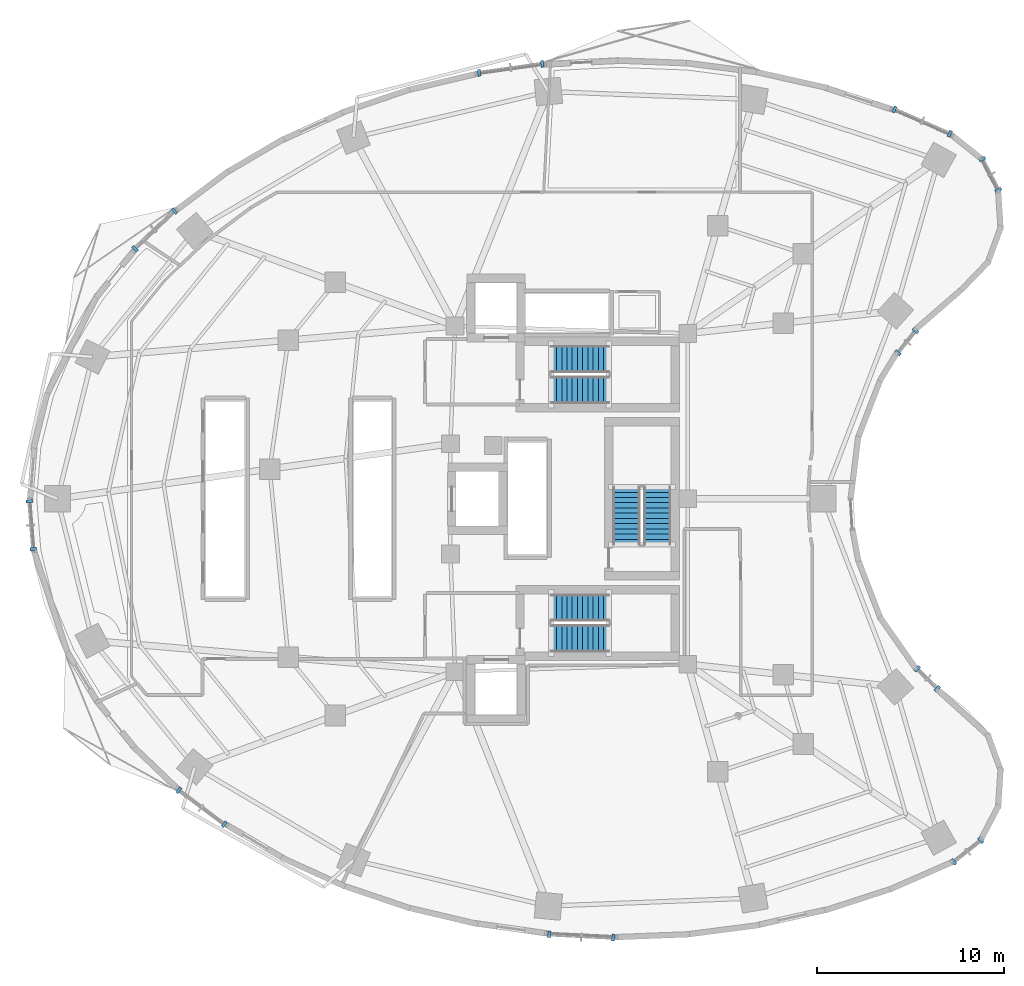
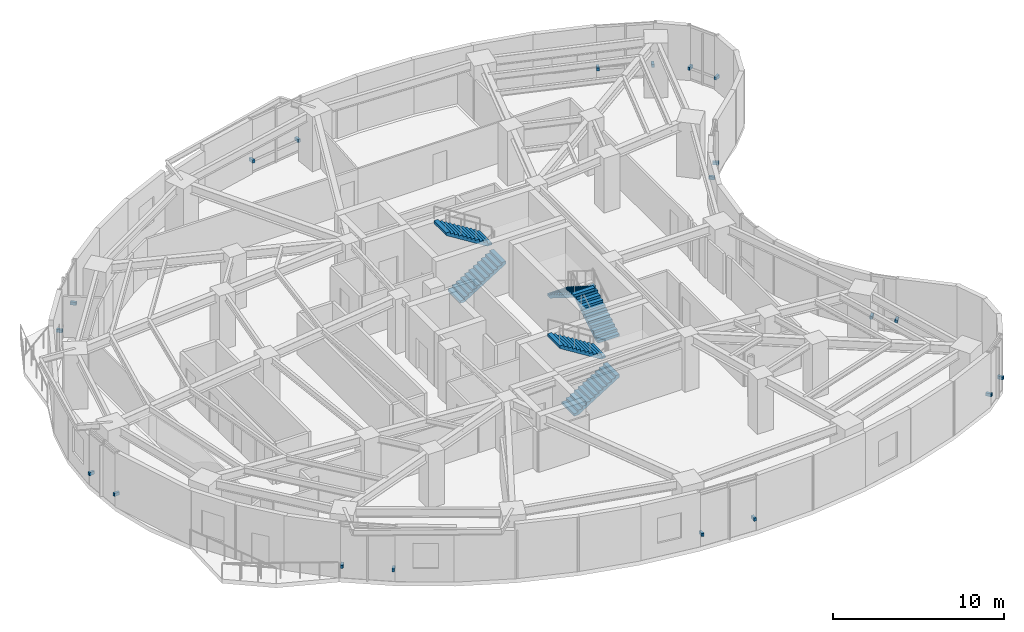
# One storey, part 11 of 14: 20 discrete accessories, 6 stair flights, 3 elements without a shape of their own.
"""IFC4 building model written with IfcOpenShell, lengths in metres."""

from ifc_helpers import new_model, si_unit, direction, frame, origin, origin_2d, place, context, subcontext, project, spatial, polyline, rectangle, outline, extrude, material, type_object, element, aggregate, save


model = new_model("IFC4")

# Units and contexts
model_context = context("Model", 3, precision=1e-05, world=origin(), true_north=direction((0.0, 1.0)))
body_context = subcontext(model_context, "Body", "Model", "MODEL_VIEW")
ifc_project = project(units=[si_unit("LENGTHUNIT", "METRE"), si_unit("AREAUNIT", "SQUARE_METRE"), si_unit("VOLUMEUNIT", "CUBIC_METRE"), si_unit("PLANEANGLEUNIT", "RADIAN"), si_unit("MASSUNIT", "GRAM", prefix="KILO")], contexts=[model_context])

# Site, building, storey
site_placement = place(None, origin())
site = spatial("IfcSite", under=ifc_project, at=site_placement, CompositionType="ELEMENT")
building_placement = place(site_placement, origin())
building = spatial("IfcBuilding", under=site, at=building_placement, Name="Korentha Bioscience Tower", CompositionType="ELEMENT")
storey_placement = place(building_placement, frame((0.0, 0.0, 63.60009765625)))
storey = spatial("IfcBuildingStorey", under=building, at=storey_placement, Name="L14", CompositionType="ELEMENT", Elevation=63.60009765625)

# Stair, stair flights
ifc_material_1 = material(Name="Precast Concrete C50", Category="concrete")
stair_type = type_object("IfcStairType", Name="Core Exit Dog-Leg Stair 1450", PredefinedType="HALF_TURN_STAIR", material=ifc_material_1)
stair_1_placement = place(storey_placement, origin())
stair_1 = element("IfcStair", 1, at=stair_1_placement, inside=storey, type_object=stair_type, Name="L14 Tower North Pressurized Exit Stair ST-1", PredefinedType="HALF_TURN_STAIR")
stair_flight_type = type_object("IfcStairFlightType", Name="Core Exit Dog-Leg Stair 1450 Flight", PredefinedType="STRAIGHT", material=ifc_material_1)
stair_flight_1_placement = place(storey_placement, frame((30.25, 32.824951171875, 0.0), z_axis=(0.0, 0.0, 1.0), x_axis=(1.0, 0.0, 0.0)))
stair_flight_1 = element("IfcStairFlight", 2, at=stair_flight_1_placement, type_object=stair_flight_type, Name="ST-1 flight 1", NumberOfRisers=12, NumberOfTreads=11, PredefinedType="STRAIGHT", RiserHeight=0.175, TreadLength=0.28, context=body_context, shape_type="SweptSolid", body=[
    extrude(outline(polyline([(0.0, 0.0), (0.0, 0.175048828125), (0.280029296875, 0.175048828125), (0.280029296875, 0.35009765625), (0.56005859375, 0.35009765625), (0.56005859375, 0.52490234375), (0.840087890625, 0.52490234375), (0.840087890625, 0.699951171875), (1.1201171875, 0.699951171875), (1.1201171875, 0.875), (1.39990234375, 0.875), (1.39990234375, 1.050048828125), (1.679931640625, 1.050048828125), (1.679931640625, 1.22509765625), (1.9599609375, 1.22509765625), (1.9599609375, 1.39990234375), (2.239990234375, 1.39990234375), (2.239990234375, 1.574951171875), (2.52001953125, 1.574951171875), (2.52001953125, 1.75), (2.800048828125, 1.75), (2.800048828125, 1.925048828125), (3.080078125, 1.925048828125), (3.080078125, 2.10009765625), (3.080078125, 1.736328125), (0.3017578125, 0.0), (0.0, 0.0)])), frame((0.0, 0.72509765625, 0.0), z_axis=(0.0, -1.0, 0.0), x_axis=(1.0, 0.0, 0.0)), (0.0, 0.0, 1.0), 1.449951171875),
])
stair_flight_2_placement = place(storey_placement, frame((33.330078125, 34.47509765625, 2.099853515625), z_axis=(0.0, 0.0, 1.0), x_axis=(-1.0, 0.0, 0.0)))
stair_flight_2 = element("IfcStairFlight", 3, at=stair_flight_2_placement, type_object=stair_flight_type, Name="ST-1 flight 2", NumberOfRisers=12, NumberOfTreads=11, PredefinedType="STRAIGHT", RiserHeight=0.175, TreadLength=0.28, context=body_context, shape_type="SweptSolid", body=[
    extrude(outline(polyline([(0.0, 0.0), (0.0, 0.175048828125), (0.280029296875, 0.175048828125), (0.280029296875, 0.35009765625), (0.56005859375, 0.35009765625), (0.56005859375, 0.52490234375), (0.840087890625, 0.52490234375), (0.840087890625, 0.699951171875), (1.1201171875, 0.699951171875), (1.1201171875, 0.875), (1.39990234375, 0.875), (1.39990234375, 1.050048828125), (1.679931640625, 1.050048828125), (1.679931640625, 1.22509765625), (1.9599609375, 1.22509765625), (1.9599609375, 1.39990234375), (2.239990234375, 1.39990234375), (2.239990234375, 1.574951171875), (2.52001953125, 1.574951171875), (2.52001953125, 1.75), (2.800048828125, 1.75), (2.800048828125, 1.925048828125), (3.080078125, 1.925048828125), (3.080078125, 2.10009765625), (3.080078125, 1.736328125), (0.3017578125, 0.0), (0.0, 0.0)])), frame((0.0, 0.72509765625, 0.0), z_axis=(0.0, -1.0, 0.0), x_axis=(1.0, 0.0, 0.0)), (0.0, 0.0, 1.0), 1.449951171875),
])
aggregate(stair_1, [stair_flight_1, stair_flight_2])

stair_2_placement = place(storey_placement, origin())
stair_2 = element("IfcStair", 4, at=stair_2_placement, inside=storey, type_object=stair_type, Name="L14 Tower South Pressurized Exit Stair ST-2", PredefinedType="HALF_TURN_STAIR")
stair_flight_3_placement = place(storey_placement, frame((30.25, 19.52490234375, 0.0), z_axis=(0.0, 0.0, 1.0), x_axis=(1.0, 0.0, 0.0)))
stair_flight_3 = element("IfcStairFlight", 5, at=stair_flight_3_placement, type_object=stair_flight_type, Name="ST-2 flight 1", NumberOfRisers=12, NumberOfTreads=11, PredefinedType="STRAIGHT", RiserHeight=0.175, TreadLength=0.28, context=body_context, shape_type="SweptSolid", body=[
    extrude(outline(polyline([(0.0, 0.0), (0.0, 0.175048828125), (0.280029296875, 0.175048828125), (0.280029296875, 0.35009765625), (0.56005859375, 0.35009765625), (0.56005859375, 0.52490234375), (0.840087890625, 0.52490234375), (0.840087890625, 0.699951171875), (1.1201171875, 0.699951171875), (1.1201171875, 0.875), (1.39990234375, 0.875), (1.39990234375, 1.050048828125), (1.679931640625, 1.050048828125), (1.679931640625, 1.22509765625), (1.9599609375, 1.22509765625), (1.9599609375, 1.39990234375), (2.239990234375, 1.39990234375), (2.239990234375, 1.574951171875), (2.52001953125, 1.574951171875), (2.52001953125, 1.75), (2.800048828125, 1.75), (2.800048828125, 1.925048828125), (3.080078125, 1.925048828125), (3.080078125, 2.10009765625), (3.080078125, 1.736328125), (0.3017578125, 0.0), (0.0, 0.0)])), frame((0.0, 0.72509765625, 0.0), z_axis=(0.0, -1.0, 0.0), x_axis=(1.0, 0.0, 0.0)), (0.0, 0.0, 1.0), 1.449951171875),
])
stair_flight_4_placement = place(storey_placement, frame((33.330078125, 21.175048828125, 2.099853515625), z_axis=(0.0, 0.0, 1.0), x_axis=(-1.0, 0.0, 0.0)))
stair_flight_4 = element("IfcStairFlight", 6, at=stair_flight_4_placement, type_object=stair_flight_type, Name="ST-2 flight 2", NumberOfRisers=12, NumberOfTreads=11, PredefinedType="STRAIGHT", RiserHeight=0.175, TreadLength=0.28, context=body_context, shape_type="SweptSolid", body=[
    extrude(outline(polyline([(0.0, 0.0), (0.0, 0.175048828125), (0.280029296875, 0.175048828125), (0.280029296875, 0.35009765625), (0.56005859375, 0.35009765625), (0.56005859375, 0.52490234375), (0.840087890625, 0.52490234375), (0.840087890625, 0.699951171875), (1.1201171875, 0.699951171875), (1.1201171875, 0.875), (1.39990234375, 0.875), (1.39990234375, 1.050048828125), (1.679931640625, 1.050048828125), (1.679931640625, 1.22509765625), (1.9599609375, 1.22509765625), (1.9599609375, 1.39990234375), (2.239990234375, 1.39990234375), (2.239990234375, 1.574951171875), (2.52001953125, 1.574951171875), (2.52001953125, 1.75), (2.800048828125, 1.75), (2.800048828125, 1.925048828125), (3.080078125, 1.925048828125), (3.080078125, 2.10009765625), (3.080078125, 1.736328125), (0.3017578125, 0.0), (0.0, 0.0)])), frame((0.0, 0.72509765625, 0.0), z_axis=(0.0, -1.0, 0.0), x_axis=(1.0, 0.0, 0.0)), (0.0, 0.0, 1.0), 1.449951171875),
])
aggregate(stair_2, [stair_flight_3, stair_flight_4])

stair_3_placement = place(storey_placement, origin())
stair_3 = element("IfcStair", 7, at=stair_3_placement, inside=storey, type_object=stair_type, Name="L14 Tower Central Pressurized Exit Stair ST-3", PredefinedType="HALF_TURN_STAIR")
stair_flight_5_placement = place(storey_placement, frame((35.925048828125, 24.550048828125, 0.0), z_axis=(0.0, 0.0, 1.0), x_axis=(0.0, 1.0, 0.0)))
stair_flight_5 = element("IfcStairFlight", 8, at=stair_flight_5_placement, type_object=stair_flight_type, Name="ST-3 flight 1", NumberOfRisers=12, NumberOfTreads=11, PredefinedType="STRAIGHT", RiserHeight=0.175, TreadLength=0.28, context=body_context, shape_type="SweptSolid", body=[
    extrude(outline(polyline([(0.0, 0.0), (0.0, 0.175048828125), (0.280029296875, 0.175048828125), (0.280029296875, 0.35009765625), (0.56005859375, 0.35009765625), (0.56005859375, 0.52490234375), (0.840087890625, 0.52490234375), (0.840087890625, 0.699951171875), (1.1201171875, 0.699951171875), (1.1201171875, 0.875), (1.39990234375, 0.875), (1.39990234375, 1.050048828125), (1.679931640625, 1.050048828125), (1.679931640625, 1.22509765625), (1.9599609375, 1.22509765625), (1.9599609375, 1.39990234375), (2.239990234375, 1.39990234375), (2.239990234375, 1.574951171875), (2.52001953125, 1.574951171875), (2.52001953125, 1.75), (2.800048828125, 1.75), (2.800048828125, 1.925048828125), (3.080078125, 1.925048828125), (3.080078125, 2.10009765625), (3.080078125, 1.736328125), (0.3017578125, 0.0), (0.0, 0.0)])), frame((0.0, 0.72509765625, 0.0), z_axis=(0.0, -1.0, 0.0), x_axis=(1.0, 0.0, 0.0)), (0.0, 0.0, 1.0), 1.449951171875),
])
stair_flight_6_placement = place(storey_placement, frame((34.27490234375, 27.6298828125, 2.099853515625), z_axis=(0.0, 0.0, 1.0), x_axis=(0.0, -1.0, 0.0)))
stair_flight_6 = element("IfcStairFlight", 9, at=stair_flight_6_placement, type_object=stair_flight_type, Name="ST-3 flight 2", NumberOfRisers=12, NumberOfTreads=11, PredefinedType="STRAIGHT", RiserHeight=0.175, TreadLength=0.28, context=body_context, shape_type="SweptSolid", body=[
    extrude(outline(polyline([(0.0, 0.0), (0.0, 0.175048828125), (0.280029296875, 0.175048828125), (0.280029296875, 0.35009765625), (0.56005859375, 0.35009765625), (0.56005859375, 0.52490234375), (0.840087890625, 0.52490234375), (0.840087890625, 0.699951171875), (1.1201171875, 0.699951171875), (1.1201171875, 0.875), (1.39990234375, 0.875), (1.39990234375, 1.050048828125), (1.679931640625, 1.050048828125), (1.679931640625, 1.22509765625), (1.9599609375, 1.22509765625), (1.9599609375, 1.39990234375), (2.239990234375, 1.39990234375), (2.239990234375, 1.574951171875), (2.52001953125, 1.574951171875), (2.52001953125, 1.75), (2.800048828125, 1.75), (2.800048828125, 1.925048828125), (3.080078125, 1.925048828125), (3.080078125, 2.10009765625), (3.080078125, 1.736328125), (0.3017578125, 0.0), (0.0, 0.0)])), frame((0.0, 0.72509765625, 0.0), z_axis=(0.0, -1.0, 0.0), x_axis=(1.0, 0.0, 0.0)), (0.0, 0.0, 1.0), 1.449951171875),
])
aggregate(stair_3, [stair_flight_5, stair_flight_6])

# Discrete accessories
ifc_material_2 = material(Name="Stainless Steel 316", Category="steel")
discrete_accessory_type = type_object("IfcDiscreteAccessoryType", Name="Stainless Steel Solar-Screen Outrigger Bracket", PredefinedType="BRACKET", material=ifc_material_2)
for number, where, z_axis, x_axis, name in (
    (10, (51.572998046875, 46.536865234375, 0.73974609375), (0.0, 0.0, 1.0), (-0.91593909057, 0.401317308828, 0.0), "CW-L14-01 Solar-Screen Support Bracket 1"),
    (11, (48.61279296875, 47.833740234375, 0.73974609375), (0.0, 0.0, 1.0), (-0.91593909057, 0.401317308828, 0.0), "CW-L14-01 Solar-Screen Support Bracket 2"),
    (12, (29.76611328125, 50.271240234375, 0.73974609375), (0.0, 0.0, 1.0), (-0.990167372968, -0.139887717511, 0.0), "CW-L14-07 Solar-Screen Support Bracket 1"),
    (13, (26.39306640625, 49.794677734375, 0.73974609375), (0.0, 0.0, 1.0), (-0.990167372968, -0.139887717511, 0.0), "CW-L14-07 Solar-Screen Support Bracket 2"),
    (14, (10.08251953125, 42.396728515625, 0.73974609375), (0.0, 0.0, 1.0), (-0.723641761581, -0.690175775361, 0.0), "CW-L14-13 Solar-Screen Support Bracket 1"),
    (15, (7.966552734375, 40.378662109375, 0.73974609375), (0.0, 0.0, 1.0), (-0.723641761581, -0.690175775361, 0.0), "CW-L14-13 Solar-Screen Support Bracket 2"),
    (16, (2.320556640625, 26.8740234375, 0.73974609375), (0.0, 0.0, 1.0), (0.080820466375, -0.996728675325, 0.0), "CW-L14-19 Solar-Screen Support Bracket 1"),
    (17, (2.5283203125, 24.31298828125, 0.73974609375), (0.0, 0.0, 1.0), (0.080820466375, -0.996728675325, 0.0), "CW-L14-19 Solar-Screen Support Bracket 2"),
    (18, (10.3212890625, 11.402099609375, 0.73974609375), (0.0, 0.0, 1.0), (0.800797909614, -0.598934644145, 0.0), "CW-L14-25 Solar-Screen Support Bracket 1"),
    (19, (12.74609375, 9.58837890625, 0.73974609375), (0.0, 0.0, 1.0), (0.800797909614, -0.598934644145, 0.0), "CW-L14-25 Solar-Screen Support Bracket 2"),
    (20, (30.14013671875, 3.693115234375, 0.73974609375), (0.0, 0.0, 1.0), (0.998730551641, -0.050371472279, 0.0), "CW-L14-31 Solar-Screen Support Bracket 1"),
    (21, (33.565185546875, 3.520263671875, 0.73974609375), (0.0, 0.0, 1.0), (0.998730551641, -0.050371472279, 0.0), "CW-L14-31 Solar-Screen Support Bracket 2"),
    (22, (51.781494140625, 7.57470703125, 0.73974609375), (0.0, 0.0, 1.0), (0.782287851332, 0.62291710336, 0.0), "CW-L14-37 Solar-Screen Support Bracket 1"),
    (23, (53.232421875, 8.72998046875, 0.73974609375), (0.0, 0.0, 1.0), (0.782287851332, 0.62291710336, 0.0), "CW-L14-37 Solar-Screen Support Bracket 2"),
    (24, (50.907470703125, 16.841552734375, 0.73974609375), (0.0, 0.0, 1.0), (-0.713279246754, 0.700879958445, 0.0), "CW-L14-43 Solar-Screen Support Bracket 1"),
    (25, (49.829345703125, 17.901123046875, 0.73974609375), (0.0, 0.0, 1.0), (-0.713279246754, 0.700879958445, 0.0), "CW-L14-43 Solar-Screen Support Bracket 2"),
    (26, (48.794921875, 34.812255859375, 0.73974609375), (0.0, 0.0, 1.0), (0.622520324648, 0.782603632371, 0.0), "CW-L14-55 Solar-Screen Support Bracket 1"),
    (27, (49.736083984375, 35.995361328125, 0.73974609375), (0.0, 0.0, 1.0), (0.622520324648, 0.782603632371, 0.0), "CW-L14-55 Solar-Screen Support Bracket 2"),
    (28, (54.169921875, 43.530517578125, 0.73974609375), (0.0, 0.0, 1.0), (-0.463008597697, 0.886353788539, 0.0), "CW-L14-61 Solar-Screen Support Bracket 1"),
    (29, (53.31103515625, 45.1748046875, 0.73974609375), (0.0, 0.0, 1.0), (-0.463008597697, 0.886353788539, 0.0), "CW-L14-61 Solar-Screen Support Bracket 2"),
):
    element("IfcDiscreteAccessory", number, at=place(storey_placement, frame(where, z_axis=z_axis, x_axis=x_axis)), inside=storey, type_object=discrete_accessory_type, Name=name, PredefinedType="BRACKET", context=body_context, shape_type="SweptSolid", body=[
        extrude(rectangle(XDim=0.159912109375, YDim=0.360107421875, at=origin_2d()), origin(), (0.0, 0.0, 1.0), 0.219970703125),
    ])

save(model, "model.ifc")
